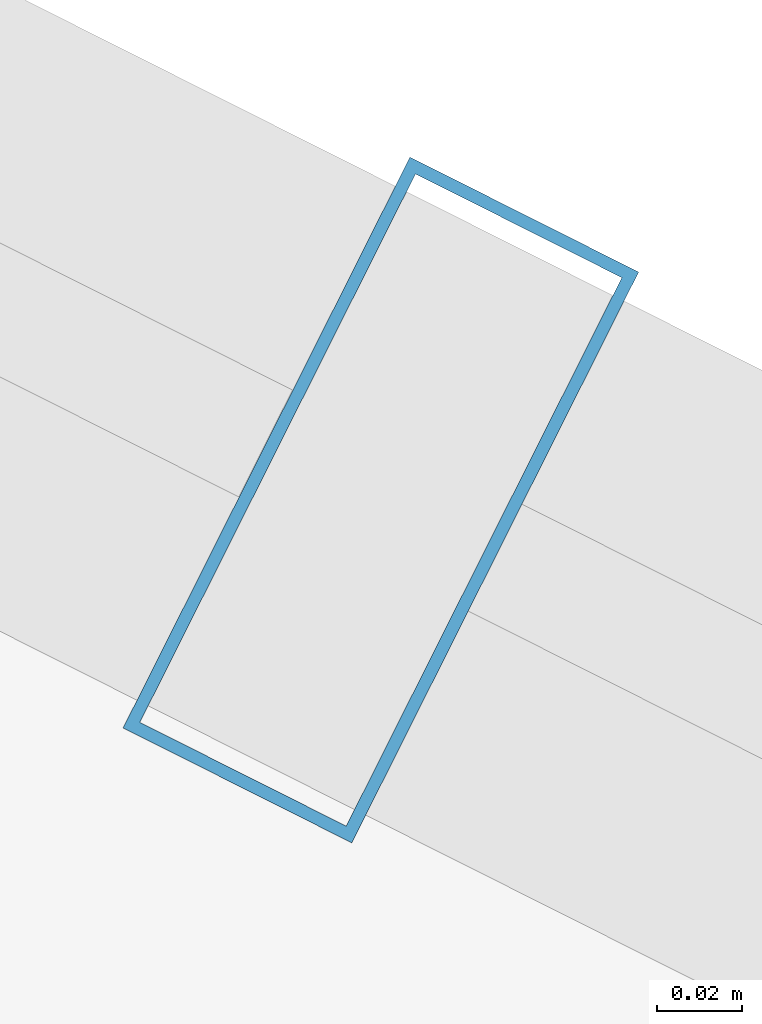
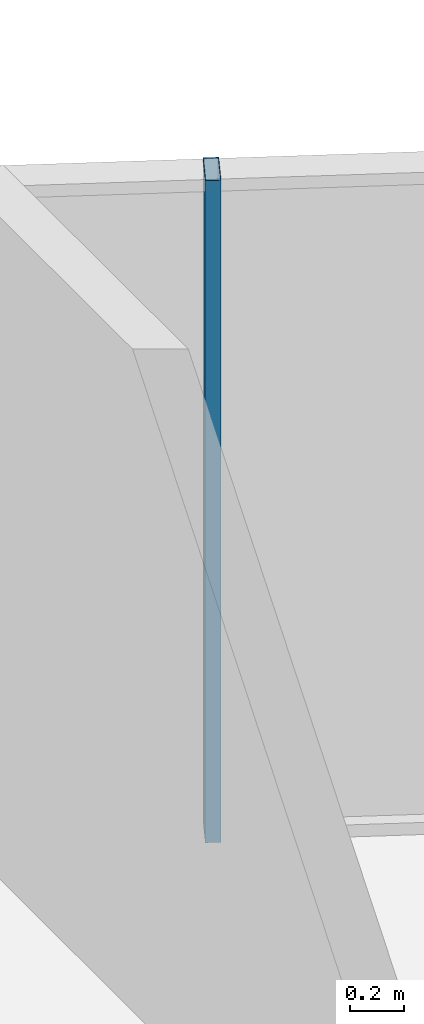
# One storey, part 25 of 33: 1 member, 1 element without a shape of its own.
"""IFC4 building model written with IfcOpenShell, lengths in metres."""

from ifc_helpers import new_model, si_unit, direction, frame, origin, origin_2d, place, context, subcontext, project, spatial, hollow_rectangle, extrude, source, transform, mapped, material, layer, layer_set, material_profile, profile_set, type_object, element, aggregate, save


model = new_model("IFC4")

# Units and contexts
model_context = context("Model", 3, precision=1e-05, world=origin(), true_north=direction((0.0, 1.0)))
body_context = subcontext(model_context, "Body", "Model", "MODEL_VIEW")
ifc_project = project(units=[si_unit("LENGTHUNIT", "METRE"), si_unit("AREAUNIT", "SQUARE_METRE"), si_unit("VOLUMEUNIT", "CUBIC_METRE"), si_unit("PLANEANGLEUNIT", "RADIAN"), si_unit("MASSUNIT", "GRAM", prefix="KILO")], contexts=[model_context])

# Site, building, storey
site_placement = place(None, origin())
site = spatial("IfcSite", under=ifc_project, at=site_placement, CompositionType="ELEMENT")
building_placement = place(site_placement, origin())
building = spatial("IfcBuilding", under=site, at=building_placement, Name="Veraguas Prism Commons", CompositionType="ELEMENT")
storey_placement = place(building_placement, frame((0.0, 0.0, 195.10009765625)))
storey = spatial("IfcBuildingStorey", under=building, at=storey_placement, Name="L55", CompositionType="ELEMENT", Elevation=195.10009765625)

# Curtain wall, member
ifc_material = material(Name="Anodised aluminium EN AW-6063 T6", Category="aluminium")
ifc_layer = layer(ifc_material, 0.14990234375, Name="Unitised Flush Curtain Wall Zone 3", Category="aluminium")
ifc_layer_set = layer_set([ifc_layer], Name="Anodised aluminium EN AW-6063 T6")
curtain_wall_type = type_object("IfcCurtainWallType", Name="Unitised Flush Curtain Wall Zone 3", PredefinedType="NOTDEFINED", material=ifc_layer_set)
curtain_wall_placement = place(storey_placement, origin())
curtain_wall = element("IfcCurtainWall", 1, at=curtain_wall_placement, inside=storey, type_object=curtain_wall_type, Name="Tower Facade Curtain Wall L55-F1", PredefinedType="NOTDEFINED")
ifc_material_profile = material_profile(ifc_material, hollow_rectangle(XDim=0.06005859375, YDim=0.14990234375, WallThickness=0.0029296875, at=origin_2d()), Name="AL60X150X3")
ifc_profile_set = profile_set([ifc_material_profile], Name="Anodised aluminium EN AW-6063 T6")
member_type = type_object("IfcMemberType", Name="Curtain Wall Mullion Upper AL 60x150x3", PredefinedType="MULLION", material=ifc_profile_set)
shared_shape = source(origin(), body_context, "Body", "SweptSolid", [
    extrude(hollow_rectangle(XDim=0.06005859375, YDim=0.14990234375, WallThickness=0.0029296875, at=origin_2d()), origin(), (0.0, 0.0, 1.0), 3.014892578125),
])
member_placement = place(storey_placement, frame((31.9521484375, 39.82470703125, 0.0), z_axis=(0.0, 0.0, 1.0), x_axis=(-0.893525824808, 0.449011804301, 0.0)))
member = element("IfcMember", 2, at=member_placement, type_object=member_type, Name="CW-Z3 Mullion 3", PredefinedType="MULLION", context=body_context, shape_type="MappedRepresentation", body=[
    mapped(shared_shape, transform((0.0, 0.0, 0.0), scale=1.0)),
])
aggregate(curtain_wall, [member])

save(model, "model.ifc")
